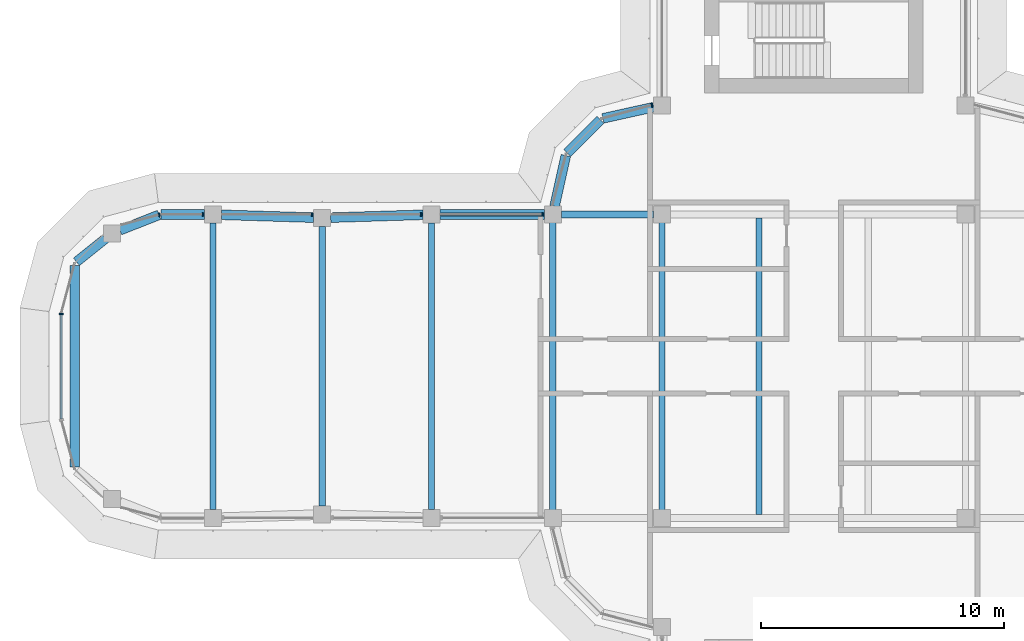
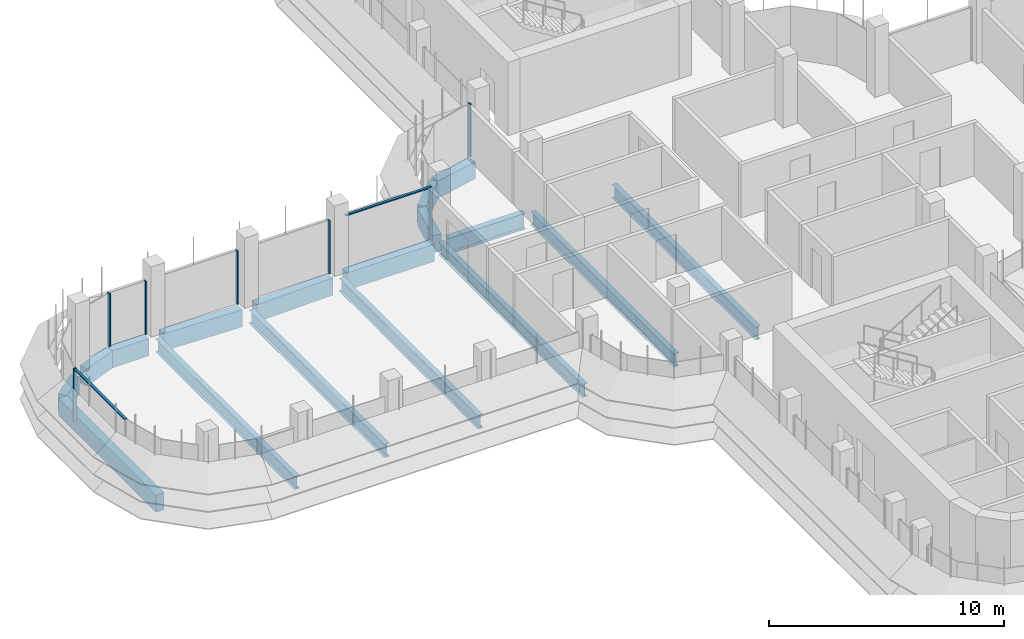
# One storey, part 6 of 19: 17 beams, 9 members, 4 elements without a shape of their own.
"""IFC4 building model written with IfcOpenShell, lengths in metres."""

from ifc_helpers import new_model, si_unit, direction, frame, origin, origin_2d, place, context, subcontext, project, spatial, polyline, rectangle, i_section, outline, extrude, source, transform, mapped, material, material_profile, profile_set, type_object, element, aggregate, save


model = new_model("IFC4")

# Units and contexts
model_context = context("Model", 3, precision=1e-05, world=origin(), true_north=direction((0.0, 1.0)))
body_context = subcontext(model_context, "Body", "Model", "MODEL_VIEW")
ifc_project = project(units=[si_unit("LENGTHUNIT", "METRE"), si_unit("AREAUNIT", "SQUARE_METRE"), si_unit("VOLUMEUNIT", "CUBIC_METRE"), si_unit("PLANEANGLEUNIT", "RADIAN"), si_unit("MASSUNIT", "GRAM", prefix="KILO")], contexts=[model_context])

# Site, building, storey
site_placement = place(None, origin())
site = spatial("IfcSite", under=ifc_project, at=site_placement, CompositionType="ELEMENT")
building_placement = place(site_placement, origin())
building = spatial("IfcBuilding", under=site, at=building_placement, Name="Zarbagh Exchange Tower", CompositionType="ELEMENT")
storey_placement = place(building_placement, frame((0.0, 0.0, 222.0)))
storey = spatial("IfcBuildingStorey", under=building, at=storey_placement, Name="L54", CompositionType="ELEMENT", Elevation=222.0)

# Beams
ifc_material_1 = material(Name="Steel ASTM A992 Gr 50", Category="steel")
ifc_material_profile_1 = material_profile(ifc_material_1, i_section(OverallWidth=0.25390625, OverallDepth=0.67822265625, WebThickness=0.01171875, FlangeThickness=0.016357421875, at=origin_2d()), Name="W27X84")
ifc_profile_set_1 = profile_set([ifc_material_profile_1], Name="Steel ASTM A992 Gr 50")
beam_type_1 = type_object("IfcBeamType", Name="Floor beam W27X84", PredefinedType="BEAM", material=ifc_profile_set_1)
for number, where, z_axis, x_axis, name in (
    (1, (-10.75, -6.10400390625, -0.489013671875), (0.0, 1.0, 0.0), (-1.0, 0.0, 0.0), "Steel floor beam"),
    (2, (-6.25, -6.10400390625, -0.489013671875), (0.0, 1.0, 0.0), (-1.0, 0.0, 0.0), "Steel floor beam"),
    (3, (-2.25, -6.10400390625, -0.489013671875), (0.0, 1.0, 0.0), (-1.0, 0.0, 0.0), "Steel floor beam"),
):
    element("IfcBeam", number, at=place(storey_placement, frame(where, z_axis=z_axis, x_axis=x_axis)), inside=storey, type_object=beam_type_1, Name=name, PredefinedType="BEAM", context=body_context, shape_type="SweptSolid", body=[
        extrude(i_section(OverallWidth=0.25390625, OverallDepth=0.67822265625, WebThickness=0.01171875, FlangeThickness=0.016357421875, at=origin_2d()), origin(), (0.0, 0.0, 1.0), 12.2080078125),
    ])
beam_1_placement = place(storey_placement, frame((-15.75, -5.89990234375, -0.489013671875), z_axis=(0.0, 1.0, 0.0), x_axis=(-1.0, 0.0, 0.0)))
element("IfcBeam", 4, at=beam_1_placement, inside=storey, type_object=beam_type_1, Name="Steel floor beam", PredefinedType="BEAM", context=body_context, shape_type="SweptSolid", body=[
    extrude(i_section(OverallWidth=0.25390625, OverallDepth=0.67822265625, WebThickness=0.01171875, FlangeThickness=0.016357421875, at=origin_2d()), origin(), (0.0, 0.0, 1.0), 11.7998046875),
])
beam_2_placement = place(storey_placement, frame((-20.25, -5.760009765625, -0.489013671875), z_axis=(0.0, 1.0, 0.0), x_axis=(-1.0, 0.0, 0.0)))
element("IfcBeam", 5, at=beam_2_placement, inside=storey, type_object=beam_type_1, Name="Steel floor beam", PredefinedType="BEAM", context=body_context, shape_type="SweptSolid", body=[
    extrude(i_section(OverallWidth=0.25390625, OverallDepth=0.67822265625, WebThickness=0.01171875, FlangeThickness=0.016357421875, at=origin_2d()), origin(), (0.0, 0.0, 1.0), 11.52001953125),
])
beam_3_placement = place(storey_placement, frame((-24.75, -5.89990234375, -0.489013671875), z_axis=(0.0, 1.0, 0.0), x_axis=(-1.0, 0.0, 0.0)))
element("IfcBeam", 6, at=beam_3_placement, inside=storey, type_object=beam_type_1, Name="Steel floor beam", PredefinedType="BEAM", context=body_context, shape_type="SweptSolid", body=[
    extrude(i_section(OverallWidth=0.25390625, OverallDepth=0.67822265625, WebThickness=0.01171875, FlangeThickness=0.016357421875, at=origin_2d()), origin(), (0.0, 0.0, 1.0), 11.7998046875),
])
ifc_material_profile_2 = material_profile(ifc_material_1, i_section(OverallWidth=0.2919921875, OverallDepth=0.835693359375, WebThickness=0.013916015625, FlangeThickness=0.018798828125, at=origin_2d()), Name="W33X118")
ifc_profile_set_2 = profile_set([ifc_material_profile_2], Name="Steel ASTM A992 Gr 50")
beam_type_2 = type_object("IfcBeamType", Name="Floor girder W33X118", PredefinedType="BEAM", material=ifc_profile_set_2)
beam_4_placement = place(storey_placement, frame((-10.39990234375, 6.25, -0.56787109375), z_axis=(1.0, 0.0, 0.0), x_axis=(0.0, 1.0, 0.0)))
element("IfcBeam", 7, at=beam_4_placement, inside=storey, type_object=beam_type_2, Name="Steel girder", PredefinedType="BEAM", context=body_context, shape_type="SweptSolid", body=[
    extrude(i_section(OverallWidth=0.2919921875, OverallDepth=0.835693359375, WebThickness=0.013916015625, FlangeThickness=0.018798828125, at=origin_2d()), origin(), (0.0, 0.0, 1.0), 3.7998046875),
])
ifc_material_2 = material(Name="Concrete C50/60", Category="concrete")
ifc_material_profile_3 = material_profile(ifc_material_2, rectangle(XDim=0.39990234375, YDim=0.89990234375, at=origin_2d()), Name="RC spandrel beam 400 x 900 C50/60")
ifc_profile_set_3 = profile_set([ifc_material_profile_3], Name="Concrete C50/60")
beam_type_3 = type_object("IfcBeamType", Name="RC spandrel beam 400 x 900 C50/60", PredefinedType="SPANDREL", material=ifc_profile_set_3)
beam_5_placement = place(storey_placement, frame((-30.44873046875, -4.14501953125, -0.60009765625), z_axis=(0.0, 1.0, 0.0), x_axis=(-1.0, 0.0, 0.0)))
element("IfcBeam", 8, at=beam_5_placement, inside=storey, type_object=beam_type_3, Name="RC spandrel beam", PredefinedType="SPANDREL", context=body_context, shape_type="SweptSolid", body=[
    extrude(rectangle(XDim=0.39990234375, YDim=0.89990234375, at=origin_2d()), origin(), (0.0, 0.0, 1.0), 8.2900390625),
])
beam_6_placement = place(storey_placement, frame((-30.373779296875, 4.30126953125, -0.60009765625), z_axis=(0.780634897504, 0.62498732531, 0.0), x_axis=(-0.62498732531, 0.780634897504, 0.0)))
element("IfcBeam", 9, at=beam_6_placement, inside=storey, type_object=beam_type_3, Name="RC spandrel beam", PredefinedType="SPANDREL", context=body_context, shape_type="SweptSolid", body=[
    extrude(rectangle(XDim=0.39990234375, YDim=0.89990234375, at=origin_2d()), origin(), (0.0, 0.0, 1.0), 1.52783203125),
])
beam_7_placement = place(storey_placement, frame((-28.582275390625, 5.602783203125, -0.60009765625), z_axis=(0.930809711446, 0.365504146457, 0.0), x_axis=(-0.365504146457, 0.930809711446, 0.0)))
element("IfcBeam", 10, at=beam_7_placement, inside=storey, type_object=beam_type_3, Name="RC spandrel beam", PredefinedType="SPANDREL", context=body_context, shape_type="SweptSolid", body=[
    extrude(rectangle(XDim=0.39990234375, YDim=0.89990234375, at=origin_2d()), origin(), (0.0, 0.0, 1.0), 1.732666015625),
])
beam_8_placement = place(storey_placement, frame((-26.896240234375, 6.25, -0.60009765625), z_axis=(1.0, 0.0, 0.0), x_axis=(0.0, 1.0, 0.0)))
element("IfcBeam", 11, at=beam_8_placement, inside=storey, type_object=beam_type_3, Name="RC spandrel beam", PredefinedType="SPANDREL", context=body_context, shape_type="SweptSolid", body=[
    extrude(rectangle(XDim=0.39990234375, YDim=0.89990234375, at=origin_2d()), origin(), (0.0, 0.0, 1.0), 1.796142578125),
])
for number, where, z_axis, x_axis, name in (
    (12, (-24.400146484375, 6.239013671875, -0.60009765625), (0.999516950199, -0.031078389046, 0.0), (0.031078389046, 0.999516950199, 0.0), "RC spandrel beam"),
    (13, (-19.900146484375, 6.120849609375, -0.60009765625), (0.999516950199, 0.031078389046, 0.0), (-0.031078389046, 0.999516950199, 0.0), "RC spandrel beam"),
):
    element("IfcBeam", number, at=place(storey_placement, frame(where, z_axis=z_axis, x_axis=x_axis)), inside=storey, type_object=beam_type_3, Name=name, PredefinedType="SPANDREL", context=body_context, shape_type="SweptSolid", body=[
        extrude(rectangle(XDim=0.39990234375, YDim=0.89990234375, at=origin_2d()), origin(), (0.0, 0.0, 1.0), 3.80224609375),
    ])
beam_9_placement = place(storey_placement, frame((-15.39990234375, 6.25, -0.60009765625), z_axis=(1.0, 0.0, 0.0), x_axis=(0.0, 1.0, 0.0)))
element("IfcBeam", 14, at=beam_9_placement, inside=storey, type_object=beam_type_3, Name="RC spandrel beam", PredefinedType="SPANDREL", context=body_context, shape_type="SweptSolid", body=[
    extrude(rectangle(XDim=0.39990234375, YDim=0.89990234375, at=origin_2d()), origin(), (0.0, 0.0, 1.0), 4.2998046875),
])
beam_10_placement = place(storey_placement, frame((-10.67431640625, 6.591796875, -0.60009765625), z_axis=(0.216013551096, 0.97639036545, 0.0), x_axis=(-0.97639036545, 0.216013551096, 0.0)))
element("IfcBeam", 15, at=beam_10_placement, inside=storey, type_object=beam_type_3, Name="RC spandrel beam", PredefinedType="SPANDREL", context=body_context, shape_type="SweptSolid", body=[
    extrude(rectangle(XDim=0.39990234375, YDim=0.89990234375, at=origin_2d()), origin(), (0.0, 0.0, 1.0), 2.142822265625),
])
beam_11_placement = place(storey_placement, frame((-10.15771484375, 8.782470703125, -0.60009765625), z_axis=(0.707106781187, 0.707106781187, 0.0), x_axis=(-0.707106781187, 0.707106781187, 0.0)))
element("IfcBeam", 16, at=beam_11_placement, inside=storey, type_object=beam_type_3, Name="RC spandrel beam", PredefinedType="SPANDREL", context=body_context, shape_type="SweptSolid", body=[
    extrude(rectangle(XDim=0.39990234375, YDim=0.89990234375, at=origin_2d()), origin(), (0.0, 0.0, 1.0), 1.94482421875),
])
beam_12_placement = place(storey_placement, frame((-8.68408203125, 10.21142578125, -0.60009765625), z_axis=(0.97639036545, 0.216013551096, 0.0), x_axis=(-0.216013551096, 0.97639036545, 0.0)))
element("IfcBeam", 17, at=beam_12_placement, inside=storey, type_object=beam_type_3, Name="RC spandrel beam", PredefinedType="SPANDREL", context=body_context, shape_type="SweptSolid", body=[
    extrude(rectangle(XDim=0.39990234375, YDim=0.89990234375, at=origin_2d()), origin(), (0.0, 0.0, 1.0), 2.142822265625),
])

# Curtain wall, member
ifc_material_3 = material(Name="Anodised aluminium frame and glazing", Category="aluminium")
curtain_wall_type = type_object("IfcCurtainWallType", Name="CWB Ribbon glazing, upper zones", PredefinedType="NOTDEFINED", material=ifc_material_3)
curtain_wall_1_placement = place(storey_placement, origin())
curtain_wall_1 = element("IfcCurtainWall", 18, at=curtain_wall_1_placement, inside=storey, type_object=curtain_wall_type, Name="CWB29 curtain wall", PredefinedType="NOTDEFINED")
ifc_material_4 = material(Name="Anodised aluminium frame", Category="aluminium")
member_type_1 = type_object("IfcMemberType", Name="MUB Mullion, anodised aluminium frame", PredefinedType="MULLION", material=ifc_material_4)
shared_shape_1 = source(origin(), body_context, "Body", "SweptSolid", [
    extrude(outline(polyline([(0.0, -0.080078125), (0.06005859375, -0.080078125), (0.06005859375, 0.080078125), (0.0, 0.080078125), (0.0, -0.080078125)])), origin(), (0.0, 0.0, 1.0), 2.75),
])
placement = place(storey_placement, origin())
member_1 = element("IfcMember", 19, at=placement, type_object=member_type_1, Name="CWB29 mullion 1.1", PredefinedType="MULLION", context=body_context, shape_type="MappedRepresentation", body=[
    mapped(shared_shape_1, transform((-6.64013671875, 10.76171875, 0.0), x_axis=(-0.965924289636, -0.258824779902, 0.0), y_axis=(0.258824779902, -0.965924289636, 0.0), z_axis=(0.0, 0.0, 1.0))),
])
aggregate(curtain_wall_1, [member_1])

# Curtain wall, members
curtain_wall_2_placement = place(storey_placement, origin())
curtain_wall_2 = element("IfcCurtainWall", 20, at=curtain_wall_2_placement, inside=storey, type_object=curtain_wall_type, Name="CWB58 curtain wall", PredefinedType="NOTDEFINED")
member_2 = element("IfcMember", 21, at=placement, type_object=member_type_1, Name="CWB58 mullion 1.1", PredefinedType="MULLION", context=body_context, shape_type="MappedRepresentation", body=[
    mapped(shared_shape_1, transform((-11.14013671875, 6.25, 0.0), x_axis=(-1.0, 0.0, 0.0), y_axis=(0.0, -1.0, 0.0), z_axis=(0.0, 0.0, 1.0))),
])
member_3 = element("IfcMember", 22, at=placement, type_object=member_type_1, Name="CWB58 mullion 2.1", PredefinedType="MULLION", context=body_context, shape_type="MappedRepresentation", body=[
    mapped(shared_shape_1, transform((-16.14013671875, 6.25, 0.0), x_axis=(-1.0, 0.0, 0.0), y_axis=(0.0, -1.0, 0.0), z_axis=(0.0, 0.0, 1.0))),
])
member_4 = element("IfcMember", 23, at=placement, type_object=member_type_1, Name="CWB58 mullion 3.1", PredefinedType="MULLION", context=body_context, shape_type="MappedRepresentation", body=[
    mapped(shared_shape_1, transform((-20.64013671875, 6.25, 0.0), x_axis=(-1.0, 0.0, 0.0), y_axis=(0.0, -1.0, 0.0), z_axis=(0.0, 0.0, 1.0))),
])
member_5 = element("IfcMember", 24, at=placement, type_object=member_type_1, Name="CWB58 mullion 4.1", PredefinedType="MULLION", context=body_context, shape_type="MappedRepresentation", body=[
    mapped(shared_shape_1, transform((-25.14013671875, 6.25, 0.0), x_axis=(-1.0, 0.0, 0.0), y_axis=(0.0, -1.0, 0.0), z_axis=(0.0, 0.0, 1.0))),
])

# Curtain wall, member
curtain_wall_3_placement = place(storey_placement, origin())
curtain_wall_3 = element("IfcCurtainWall", 25, at=curtain_wall_3_placement, inside=storey, type_object=curtain_wall_type, Name="CWB59 curtain wall", PredefinedType="NOTDEFINED")
member_6 = element("IfcMember", 26, at=placement, type_object=member_type_1, Name="CWB59 mullion 1.1", PredefinedType="MULLION", context=body_context, shape_type="MappedRepresentation", body=[
    mapped(shared_shape_1, transform((-26.93408203125, 6.25, 0.0), x_axis=(-0.965924289636, -0.258824779902, 0.0), y_axis=(0.258824779902, -0.965924289636, 0.0), z_axis=(0.0, 0.0, 1.0))),
])
aggregate(curtain_wall_3, [member_6])

# Curtain wall, members
curtain_wall_4_placement = place(storey_placement, origin())
curtain_wall_4 = element("IfcCurtainWall", 27, at=curtain_wall_4_placement, inside=storey, type_object=curtain_wall_type, Name="CWB66 curtain wall", PredefinedType="NOTDEFINED")
member_7 = element("IfcMember", 28, at=placement, type_object=member_type_1, Name="CWB66 mullion 1.1", PredefinedType="MULLION", context=body_context, shape_type="MappedRepresentation", body=[
    mapped(shared_shape_1, transform((-31.0, 2.18408203125, 0.0), x_axis=(0.0, -1.0, 0.0), y_axis=(1.0, 0.0, 0.0), z_axis=(0.0, 0.0, 1.0))),
])
member_type_2 = type_object("IfcMemberType", Name="TRB Transom, anodised aluminium frame", PredefinedType="USERDEFINED", material=ifc_material_4)
shared_shape_2 = source(origin(), body_context, "Body", "SweptSolid", [
    extrude(outline(polyline([(-0.06005859375, -0.06005859375), (0.0, -0.06005859375), (0.0, 0.06005859375), (-0.06005859375, 0.06005859375), (-0.06005859375, -0.06005859375)])), origin(), (0.0, 0.0, 1.0), 4.308349609375),
])
member_8 = element("IfcMember", 29, at=placement, type_object=member_type_2, Name="CWB66 transom 1.1", ObjectType="TRANSOM", PredefinedType="USERDEFINED", context=body_context, shape_type="MappedRepresentation", body=[
    mapped(shared_shape_2, transform((-31.0, 2.124267578125, 2.75), x_axis=(0.0, 0.0, 1.0), y_axis=(-1.0, 0.0, 0.0), z_axis=(0.0, -1.0, 0.0))),
])
aggregate(curtain_wall_4, [member_7, member_8])

# Member
shared_shape_3 = source(origin(), body_context, "Body", "SweptSolid", [
    extrude(outline(polyline([(-0.06005859375, -0.06005859375), (0.0, -0.06005859375), (0.0, 0.06005859375), (-0.06005859375, 0.06005859375), (-0.06005859375, -0.06005859375)])), origin(), (0.0, 0.0, 1.0), 4.159912109375),
])
member_9 = element("IfcMember", 30, at=placement, type_object=member_type_2, Name="CWB58 transom 1.1", ObjectType="TRANSOM", PredefinedType="USERDEFINED", context=body_context, shape_type="MappedRepresentation", body=[
    mapped(shared_shape_3, transform((-11.199951171875, 6.25, 2.75), x_axis=(0.0, 0.0, 1.0), y_axis=(0.0, 1.0, 0.0), z_axis=(-1.0, 0.0, 0.0))),
])

aggregate(curtain_wall_2, [member_2, member_9, member_3, member_4, member_5])

save(model, "model.ifc")
